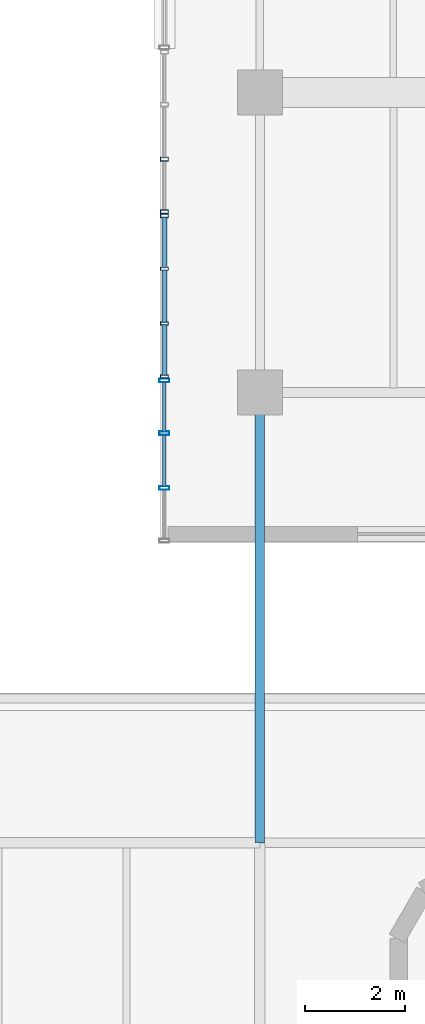
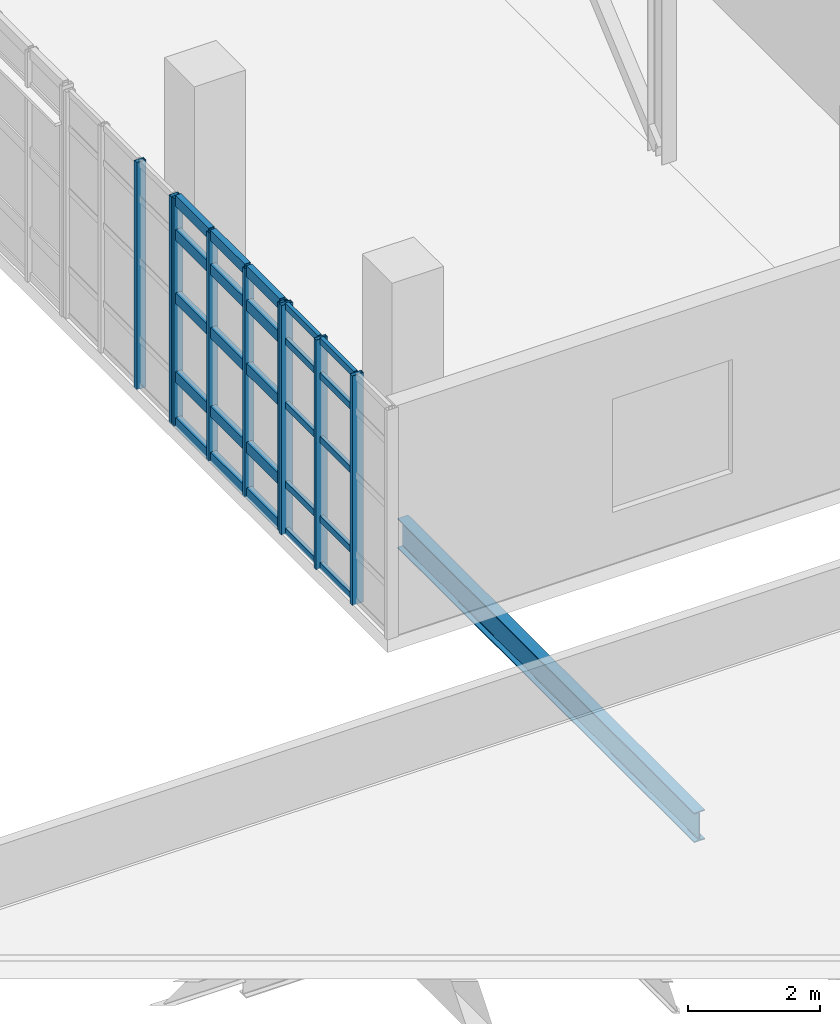
# One storey, part 25 of 85: 34 members, 1 beam, 3 elements without a shape of their own.
"""IFC4 building model written with IfcOpenShell, lengths in metres."""

import ifcopenshell
import ifcopenshell.guid

model = None  # the IFC model being written
_history = None  # IfcOwnerHistory: only IFC2X3 demands one
_inside = {}  # id of a spatial element -> (the spatial element, [elements in it])
_under = {}  # id of a project, library or spatial element -> (it, [spatial elements below it])
_declared = {}  # id of a project -> (the project, [libraries it declares])
_typed = {}  # id of a type object -> (the type object, [elements of that type])
_made_of = {}  # id of a material, layer set ... -> (it, [elements and type objects made of it])


def new_model(schema):
    """Start an empty IFC model of exactly this schema.

    Asked for "IFC4X3", IfcOpenShell would pick the latest addendum, in which some entities
    have other attributes; the version numbers below select the first issue.
    IFC2X3 requires an IfcOwnerHistory on every rooted entity: one is made here for all.
    """
    global model, _history
    if schema == "IFC4X3":
        model = ifcopenshell.file(schema_version=(4, 3, 0, 0))
    else:
        model = ifcopenshell.file(schema=schema)
    _inside.clear()
    _under.clear()
    _declared.clear()
    _typed.clear()
    _made_of.clear()
    _history = None
    if model.schema == "IFC2X3":
        org = make("IfcOrganization", Name="unknown")
        user = make(
            "IfcPersonAndOrganization",
            ThePerson=make("IfcPerson", FamilyName="unknown"),
            TheOrganization=org,
        )
        app = make(
            "IfcApplication",
            ApplicationDeveloper=org,
            Version="unknown",
            ApplicationFullName="unknown",
            ApplicationIdentifier="unknown",
        )
        _history = make(
            "IfcOwnerHistory",
            OwningUser=user,
            OwningApplication=app,
            ChangeAction="ADDED",
            CreationDate=0,
        )
    return model


def make(cls, **values):
    """One entity of the class cls with the attributes given. An attribute that is None is left unset."""
    return model.create_entity(
        cls, **{name: value for name, value in values.items() if value is not None}
    )


def rooted(cls, **values):
    """An entity with a GlobalId (a new one), such as an element, a storey or a relation."""
    return make(cls, GlobalId=ifcopenshell.guid.new(), OwnerHistory=_history, **values)


def si_unit(unit_type, name, prefix=None):
    """IfcSIUnit, for example si_unit("LENGTHUNIT", "METRE", prefix="MILLI")."""
    return make("IfcSIUnit", UnitType=unit_type, Prefix=prefix, Name=name)


def derived_unit(unit_type, elements):
    """IfcDerivedUnit: a product of units, each with its exponent."""
    return make(
        "IfcDerivedUnit",
        Elements=[
            make("IfcDerivedUnitElement", Unit=unit, Exponent=power)
            for unit, power in elements
        ],
        UnitType=unit_type,
    )


def assignment(units):
    """IfcUnitAssignment: the units of a project."""
    return None if units is None else make("IfcUnitAssignment", Units=units)


def point(xyz):
    """IfcCartesianPoint."""
    return None if xyz is None else make("IfcCartesianPoint", Coordinates=xyz)


def direction(xyz):
    """IfcDirection."""
    return None if xyz is None else make("IfcDirection", DirectionRatios=xyz)


def frame(location, z_axis=None, x_axis=None):
    """IfcAxis2Placement3D, a coordinate frame: its origin and axes. An axis left out is left unset."""
    return make(
        "IfcAxis2Placement3D",
        Location=point(location),
        Axis=direction(z_axis),
        RefDirection=direction(x_axis),
    )


def frame_2d(location, x_axis=None):
    """IfcAxis2Placement2D, a coordinate frame in the plane: its origin and x axis."""
    return make(
        "IfcAxis2Placement2D", Location=point(location), RefDirection=direction(x_axis)
    )


def origin():
    """The frame at (0, 0, 0) with its axes left unset."""
    return frame((0.0, 0.0, 0.0))


def origin_2d():
    """The frame at (0, 0) in the plane with its x axis left unset."""
    return frame_2d((0.0, 0.0))


def place(relative_to, where):
    """IfcLocalPlacement: puts the frame where relative to a parent placement (None: the world)."""
    return make(
        "IfcLocalPlacement", PlacementRelTo=relative_to, RelativePlacement=where
    )


def context(
    kind, dimensions, precision=None, world=None, true_north=None, identifier=None
):
    """IfcGeometricRepresentationContext, for example the 3D "Model" context."""
    return make(
        "IfcGeometricRepresentationContext",
        ContextIdentifier=identifier,
        ContextType=kind,
        CoordinateSpaceDimension=dimensions,
        Precision=precision,
        WorldCoordinateSystem=world,
        TrueNorth=true_north,
    )


def subcontext(parent, identifier, kind, view, scale=None):
    """IfcGeometricRepresentationSubContext, for example "Body" below "Model"."""
    return make(
        "IfcGeometricRepresentationSubContext",
        ContextIdentifier=identifier,
        ContextType=kind,
        ParentContext=parent,
        TargetScale=scale,
        TargetView=view,
    )


def project(units=None, contexts=None):
    """IfcProject with its units and contexts."""
    return rooted(
        "IfcProject",
        Name="project",
        RepresentationContexts=contexts,
        UnitsInContext=assignment(units),
    )


def spatial(cls, under=None, at=None, **own):
    """A site, building, storey or space (cls), placed at a placement, below another one or the project."""
    s = rooted(cls, ObjectPlacement=at, **own)
    if under is not None:
        _under.setdefault(under.id(), (under, []))[1].append(s)
    return s


def profile(cls, at=None, kind="AREA", **sizes):
    """A parametric profile (cls). Its sizes go by their IFC names, for example OverallWidth=200.0."""
    return make(cls, ProfileType=kind, Position=at, **sizes)


def hollow_rectangle(**sizes):
    """IfcRectangleHollowProfileDef."""
    return profile("IfcRectangleHollowProfileDef", **sizes)


def i_section(**sizes):
    """IfcIShapeProfileDef."""
    return profile("IfcIShapeProfileDef", **sizes)


def extrude(swept, where, along, depth):
    """IfcExtrudedAreaSolid: the profile swept, set in the frame where, extruded along a direction by depth."""
    return make(
        "IfcExtrudedAreaSolid",
        SweptArea=swept,
        Position=where,
        ExtrudedDirection=direction(along),
        Depth=depth,
    )


def shape(context_of_items, identifier, shape_type, items):
    """IfcShapeRepresentation: the items that make up one representation, for example the "Body"."""
    return make(
        "IfcShapeRepresentation",
        ContextOfItems=context_of_items,
        RepresentationIdentifier=identifier,
        RepresentationType=shape_type,
        Items=items,
    )


def material(Name=None, Category=None):
    """IfcMaterial."""
    return make("IfcMaterial", Name=Name, Category=Category)


def layer(
    of_material, thickness, ventilated=None, Name=None, Category=None, Priority=None
):
    """IfcMaterialLayer: one layer of a wall or slab, of a material (None: an air gap)."""
    return make(
        "IfcMaterialLayer",
        Material=of_material,
        LayerThickness=thickness,
        IsVentilated=ventilated,
        Name=Name,
        Category=Category,
        Priority=Priority,
    )


def layer_set(layers, Name=None):
    """IfcMaterialLayerSet."""
    return make("IfcMaterialLayerSet", MaterialLayers=layers, LayerSetName=Name)


def material_profile(
    of_material, cross_section, Name=None, Category=None, Priority=None
):
    """IfcMaterialProfile: a cross section and its material."""
    return make(
        "IfcMaterialProfile",
        Name=Name,
        Material=of_material,
        Profile=cross_section,
        Priority=Priority,
        Category=Category,
    )


def profile_set(profiles, Name=None, composite=None):
    """IfcMaterialProfileSet."""
    return make(
        "IfcMaterialProfileSet",
        Name=Name,
        MaterialProfiles=profiles,
        CompositeProfile=composite,
    )


def made_of(thing, what):
    """Note that an element or type object is made of a material, layer set ...; save() writes the relation."""
    if what is not None:
        _made_of.setdefault(what.id(), (what, []))[1].append(thing)
    return thing


def type_object(cls, material=None, **own):
    """A type object (cls), such as IfcWallType, which elements share."""
    return made_of(rooted(cls, **own), material)


def element(
    cls,
    number,
    at=None,
    inside=None,
    cuts=None,
    type_object=None,
    material=None,
    context=None,
    identifier="Body",
    shape_type=None,
    held_by="IfcProductDefinitionShape",
    body=None,
    shapes=None,
    **own,
):
    """One element of the class cls, such as IfcWall. Its Tag is "e" and its number.

    at: its placement. inside: the storey or other place that contains it. cuts: it is an
    opening in that element (IfcRelVoidsElement). A single representation is given by context,
    identifier, shape_type and body (its items); several are given by shapes. held_by: the class
    of the entity that holds the representations. save() writes the other relations.
    """
    e = rooted(cls, Tag="e%d" % number, ObjectPlacement=at, **own)
    if body is not None:
        shapes = [shape(context, identifier, shape_type, body)]
    if shapes is not None:
        e.Representation = make(held_by, Representations=shapes)
    if inside is not None:
        _inside.setdefault(inside.id(), (inside, []))[1].append(e)
    if cuts is not None:
        rooted(
            "IfcRelVoidsElement", RelatingBuildingElement=cuts, RelatedOpeningElement=e
        )
    if type_object is not None:
        _typed.setdefault(type_object.id(), (type_object, []))[1].append(e)
    return made_of(e, material)


def aggregate(whole, parts):
    """IfcRelAggregates: a whole, such as a stair, and the parts it consists of."""
    return rooted("IfcRelAggregates", RelatingObject=whole, RelatedObjects=parts)


def save(model, path):
    """Write the relations noted so far, then the file.

    IfcRelAggregates (storeys below a building ...), IfcRelContainedInSpatialStructure (elements
    in a storey), IfcRelDefinesByType, IfcRelAssociatesMaterial and IfcRelDeclares: one each for
    every whole, place, type object, material and project.
    """
    for whole, parts in _under.values():
        aggregate(whole, parts)
    for where, things in _inside.values():
        rooted(
            "IfcRelContainedInSpatialStructure",
            RelatedElements=things,
            RelatingStructure=where,
        )
    for kind, things in _typed.values():
        rooted("IfcRelDefinesByType", RelatedObjects=things, RelatingType=kind)
    for what, things in _made_of.values():
        rooted("IfcRelAssociatesMaterial", RelatedObjects=things, RelatingMaterial=what)
    for by, libraries in _declared.values():
        rooted("IfcRelDeclares", RelatingContext=by, RelatedDefinitions=libraries)
    model.write(path)


model = new_model("IFC4")

# Units and contexts
model_context = context("Model", 3, precision=1e-05, world=origin(), true_north=direction((0.0, 1.0)))
body_context = subcontext(model_context, "Body", "Model", "MODEL_VIEW")
ifc_project = project(units=[si_unit("LENGTHUNIT", "METRE"), si_unit("AREAUNIT", "SQUARE_METRE"), si_unit("VOLUMEUNIT", "CUBIC_METRE"), si_unit("PLANEANGLEUNIT", "RADIAN"), si_unit("MASSUNIT", "GRAM", prefix="KILO"), derived_unit("THERMALTRANSMITTANCEUNIT", [(si_unit("POWERUNIT", "WATT"), 1), (si_unit("LENGTHUNIT", "METRE"), -2), (si_unit("THERMODYNAMICTEMPERATUREUNIT", "KELVIN"), -1)])], contexts=[model_context])

# Site, building, storey
site_placement = place(None, origin())
site = spatial("IfcSite", under=ifc_project, at=site_placement, CompositionType="ELEMENT")
building_placement = place(site_placement, origin())
building = spatial("IfcBuilding", under=site, at=building_placement, Name="Nallur Shell Playhouse", CompositionType="ELEMENT")
storey_placement = place(building_placement, frame((0.0, 0.0, 19.800048828125)))
storey = spatial("IfcBuildingStorey", under=building, at=storey_placement, Name="L05", CompositionType="ELEMENT", Elevation=19.800048828125)

# Beam
ifc_material_1 = material(Name="Steel E350", Category="steel")
ifc_material_profile_1 = material_profile(ifc_material_1, i_section(OverallWidth=0.18994140625, OverallDepth=0.550048828125, WebThickness=0.01123046875, FlangeThickness=0.019287109375, FilletRadius=0.01806640625, at=origin_2d()), Name="ISMB 550")
ifc_profile_set_1 = profile_set([ifc_material_profile_1], Name="Steel E350")
beam_type = type_object("IfcBeamType", Name="BM-ST-ISMB550", PredefinedType="BEAM", material=ifc_profile_set_1)
beam_placement = place(storey_placement, frame((56.0, 41.0, -0.525146484375), z_axis=(0.0, 1.0, 0.0), x_axis=(-1.0, 0.0, 0.0)))
element("IfcBeam", 1, at=beam_placement, inside=storey, type_object=beam_type, Name="L05 girder Y-7-1017", PredefinedType="BEAM", context=body_context, shape_type="SweptSolid", body=[
    extrude(i_section(OverallWidth=0.18994140625, OverallDepth=0.550048828125, WebThickness=0.01123046875, FlangeThickness=0.019287109375, FilletRadius=0.01806640625, at=origin_2d()), origin(), (0.0, 0.0, 1.0), 9.0),
])

# Curtain wall, members
ifc_material_2 = material(Name="Anodised Aluminium Double-Glazed Facade System", Category="aluminium")
ifc_layer_1 = layer(ifc_material_2, 0.1640625)
ifc_layer_set_1 = layer_set([ifc_layer_1], Name="Anodised Aluminium Double-Glazed Facade System")
curtain_wall_type_1 = type_object("IfcCurtainWallType", Name="CW-UNIT-07", PredefinedType="NOTDEFINED", material=ifc_layer_set_1)
curtain_wall_1_placement = place(storey_placement, origin())
curtain_wall_1 = element("IfcCurtainWall", 2, at=curtain_wall_1_placement, inside=storey, type_object=curtain_wall_type_1, Name="Unitised curtain wall CW-167 (L05)", PredefinedType="NOTDEFINED")
ifc_material_3 = material(Name="Aluminium Alloy 6063-T6 Mullion", Category="aluminium")
ifc_material_profile_2 = material_profile(ifc_material_3, hollow_rectangle(XDim=0.080078125, YDim=0.159912109375, WallThickness=0.006103515625, at=origin_2d()), Name="RHS 160x80x6")
ifc_profile_set_2 = profile_set([ifc_material_profile_2], Name="Aluminium Alloy 6063-T6 Mullion")
member_type_1 = type_object("IfcMemberType", Name="MB-CW-MUL150", PredefinedType="MULLION", material=ifc_profile_set_2)
member_1_placement = place(storey_placement, frame((54.090087890625, 53.616455078125, -0.01513671875), z_axis=(0.0, 0.0, 1.0), x_axis=(0.0, 1.0, 0.0)))
member_1 = element("IfcMember", 3, at=member_1_placement, type_object=member_type_1, Name="CW-07 mullion 1", PredefinedType="MULLION", context=body_context, shape_type="SweptSolid", body=[
    extrude(hollow_rectangle(XDim=0.080078125, YDim=0.159912109375, WallThickness=0.006103515625, at=origin_2d()), origin(), (0.0, 0.0, 1.0), 4.208984375),
])
member_2_placement = place(storey_placement, frame((54.090087890625, 54.668212890625, -0.01513671875), z_axis=(0.0, 0.0, 1.0), x_axis=(0.0, 1.0, 0.0)))
member_2 = element("IfcMember", 4, at=member_2_placement, type_object=member_type_1, Name="CW-07 mullion 2", PredefinedType="MULLION", context=body_context, shape_type="SweptSolid", body=[
    extrude(hollow_rectangle(XDim=0.080078125, YDim=0.159912109375, WallThickness=0.006103515625, at=origin_2d()), origin(), (0.0, 0.0, 1.0), 4.208984375),
])
aggregate(curtain_wall_1, [member_1, member_2])

ifc_layer_2 = layer(ifc_material_2, 0.159912109375)
ifc_layer_set_2 = layer_set([ifc_layer_2], Name="Anodised Aluminium Double-Glazed Facade System")
curtain_wall_type_2 = type_object("IfcCurtainWallType", Name="CW-UNIT-06", PredefinedType="NOTDEFINED", material=ifc_layer_set_2)
curtain_wall_2_placement = place(storey_placement, origin())
curtain_wall_2 = element("IfcCurtainWall", 5, at=curtain_wall_2_placement, inside=storey, type_object=curtain_wall_type_2, Name="Unitised curtain wall CW-166 (L05)", PredefinedType="NOTDEFINED")
ifc_material_profile_3 = material_profile(ifc_material_3, hollow_rectangle(XDim=0.06494140625, YDim=0.159912109375, WallThickness=0.00390625, at=origin_2d()), Name="ALU 65x160x4")
ifc_profile_set_3 = profile_set([ifc_material_profile_3], Name="Aluminium Alloy 6063-T6 Mullion")
member_type_2 = type_object("IfcMemberType", Name="MB-CW-MUL160", PredefinedType="MULLION", material=ifc_profile_set_3)
member_3_placement = place(storey_placement, frame((54.090087890625, 50.3232421875, -0.01513671875), z_axis=(0.0, 0.0, 1.0), x_axis=(0.0, 1.0, 0.0)))
member_3 = element("IfcMember", 6, at=member_3_placement, type_object=member_type_2, Name="CW-06 mullion 1", PredefinedType="MULLION", context=body_context, shape_type="SweptSolid", body=[
    extrude(hollow_rectangle(XDim=0.06494140625, YDim=0.159912109375, WallThickness=0.00390625, at=origin_2d()), origin(), (0.0, 0.0, 1.0), 4.22900390625),
])
member_4_placement = place(storey_placement, frame((54.090087890625, 51.382568359375, -0.01513671875), z_axis=(0.0, 0.0, 1.0), x_axis=(0.0, 1.0, 0.0)))
member_4 = element("IfcMember", 7, at=member_4_placement, type_object=member_type_2, Name="CW-06 mullion 2", PredefinedType="MULLION", context=body_context, shape_type="SweptSolid", body=[
    extrude(hollow_rectangle(XDim=0.06494140625, YDim=0.159912109375, WallThickness=0.00390625, at=origin_2d()), origin(), (0.0, 0.0, 1.0), 4.22900390625),
])
member_5_placement = place(storey_placement, frame((54.090087890625, 52.474609375, -0.01513671875), z_axis=(0.0, 0.0, 1.0), x_axis=(0.0, 1.0, 0.0)))
member_5 = element("IfcMember", 8, at=member_5_placement, type_object=member_type_2, Name="CW-06 mullion 3", PredefinedType="MULLION", context=body_context, shape_type="SweptSolid", body=[
    extrude(hollow_rectangle(XDim=0.06494140625, YDim=0.159912109375, WallThickness=0.00390625, at=origin_2d()), origin(), (0.0, 0.0, 1.0), 4.22900390625),
])
member_6_placement = place(storey_placement, frame((54.090087890625, 53.533935546875, -0.01513671875), z_axis=(0.0, 0.0, 1.0), x_axis=(0.0, 1.0, 0.0)))
member_6 = element("IfcMember", 9, at=member_6_placement, type_object=member_type_2, Name="CW-06 mullion 4", PredefinedType="MULLION", context=body_context, shape_type="SweptSolid", body=[
    extrude(hollow_rectangle(XDim=0.06494140625, YDim=0.159912109375, WallThickness=0.00390625, at=origin_2d()), origin(), (0.0, 0.0, 1.0), 4.22900390625),
])

ifc_layer_3 = layer(ifc_material_2, 0.179931640625)
ifc_layer_set_3 = layer_set([ifc_layer_3], Name="Anodised Aluminium Double-Glazed Facade System")
curtain_wall_type_3 = type_object("IfcCurtainWallType", Name="CW-UNIT-05", PredefinedType="NOTDEFINED", material=ifc_layer_set_3)
curtain_wall_3_placement = place(storey_placement, origin())
curtain_wall_3 = element("IfcCurtainWall", 10, at=curtain_wall_3_placement, inside=storey, type_object=curtain_wall_type_3, Name="Unitised curtain wall CW-165 (L05)", PredefinedType="NOTDEFINED")
ifc_material_profile_4 = material_profile(ifc_material_3, hollow_rectangle(XDim=0.074951171875, YDim=0.199951171875, WallThickness=0.0048828125, at=origin_2d()), Name="ALU 75x200x5")
ifc_profile_set_4 = profile_set([ifc_material_profile_4], Name="Aluminium Alloy 6063-T6 Mullion")
member_type_3 = type_object("IfcMemberType", Name="MB-CW-MUL180", PredefinedType="MULLION", material=ifc_profile_set_4)
member_7_placement = place(storey_placement, frame((54.090087890625, 48.093505859375, -0.01513671875), z_axis=(0.0, 0.0, 1.0), x_axis=(0.0, 1.0, 0.0)))
member_7 = element("IfcMember", 11, at=member_7_placement, type_object=member_type_3, Name="CW-05 mullion 2", PredefinedType="MULLION", context=body_context, shape_type="SweptSolid", body=[
    extrude(hollow_rectangle(XDim=0.074951171875, YDim=0.199951171875, WallThickness=0.0048828125, at=origin_2d()), origin(), (0.0, 0.0, 1.0), 4.2490234375),
])
member_8_placement = place(storey_placement, frame((54.090087890625, 49.18701171875, -0.01513671875), z_axis=(0.0, 0.0, 1.0), x_axis=(0.0, 1.0, 0.0)))
member_8 = element("IfcMember", 12, at=member_8_placement, type_object=member_type_3, Name="CW-05 mullion 3", PredefinedType="MULLION", context=body_context, shape_type="SweptSolid", body=[
    extrude(hollow_rectangle(XDim=0.074951171875, YDim=0.199951171875, WallThickness=0.0048828125, at=origin_2d()), origin(), (0.0, 0.0, 1.0), 4.2490234375),
])
member_9_placement = place(storey_placement, frame((54.090087890625, 50.2431640625, -0.01513671875), z_axis=(0.0, 0.0, 1.0), x_axis=(0.0, 1.0, 0.0)))
member_9 = element("IfcMember", 13, at=member_9_placement, type_object=member_type_3, Name="CW-05 mullion 4", PredefinedType="MULLION", context=body_context, shape_type="SweptSolid", body=[
    extrude(hollow_rectangle(XDim=0.074951171875, YDim=0.199951171875, WallThickness=0.0048828125, at=origin_2d()), origin(), (0.0, 0.0, 1.0), 4.2490234375),
])
ifc_material_4 = material(Name="Aluminium Alloy 6063-T6 Transom", Category="aluminium")
ifc_material_profile_5 = material_profile(ifc_material_4, hollow_rectangle(XDim=0.06494140625, YDim=0.1201171875, WallThickness=0.00390625, at=origin_2d()), Name="ALU 65x120x4")
ifc_profile_set_5 = profile_set([ifc_material_profile_5], Name="Aluminium Alloy 6063-T6 Transom")
member_type_4 = type_object("IfcMemberType", Name="MB-CW-TRN120", PredefinedType="USERDEFINED", material=ifc_profile_set_5)
member_10_placement = place(storey_placement, frame((54.090087890625, 48.123046875, 0.032470703125), z_axis=(0.0, 1.0, 0.0), x_axis=(-1.0, 0.0, 0.0)))
member_10 = element("IfcMember", 14, at=member_10_placement, type_object=member_type_4, Name="CW-05 transom 2.1", ObjectType="TRANSOM", PredefinedType="USERDEFINED", context=body_context, shape_type="SweptSolid", body=[
    extrude(hollow_rectangle(XDim=0.06494140625, YDim=0.1201171875, WallThickness=0.00390625, at=origin_2d()), origin(), (0.0, 0.0, 1.0), 1.03466796875),
])
member_11_placement = place(storey_placement, frame((54.090087890625, 48.123046875, 0.89990234375), z_axis=(0.0, 1.0, 0.0), x_axis=(-1.0, 0.0, 0.0)))
member_11 = element("IfcMember", 15, at=member_11_placement, type_object=member_type_4, Name="CW-05 transom 2.2", ObjectType="TRANSOM", PredefinedType="USERDEFINED", context=body_context, shape_type="SweptSolid", body=[
    extrude(hollow_rectangle(XDim=0.06494140625, YDim=0.1201171875, WallThickness=0.00390625, at=origin_2d()), origin(), (0.0, 0.0, 1.0), 1.03466796875),
])
member_12_placement = place(storey_placement, frame((54.090087890625, 48.123046875, 2.368896484375), z_axis=(0.0, 1.0, 0.0), x_axis=(-1.0, 0.0, 0.0)))
member_12 = element("IfcMember", 16, at=member_12_placement, type_object=member_type_4, Name="CW-05 transom 2.3", ObjectType="TRANSOM", PredefinedType="USERDEFINED", context=body_context, shape_type="SweptSolid", body=[
    extrude(hollow_rectangle(XDim=0.06494140625, YDim=0.1201171875, WallThickness=0.00390625, at=origin_2d()), origin(), (0.0, 0.0, 1.0), 1.03466796875),
])
member_13_placement = place(storey_placement, frame((54.090087890625, 48.123046875, 3.550048828125), z_axis=(0.0, 1.0, 0.0), x_axis=(-1.0, 0.0, 0.0)))
member_13 = element("IfcMember", 17, at=member_13_placement, type_object=member_type_4, Name="CW-05 transom 2.4", ObjectType="TRANSOM", PredefinedType="USERDEFINED", context=body_context, shape_type="SweptSolid", body=[
    extrude(hollow_rectangle(XDim=0.06494140625, YDim=0.1201171875, WallThickness=0.00390625, at=origin_2d()), origin(), (0.0, 0.0, 1.0), 1.03466796875),
])
member_14_placement = place(storey_placement, frame((54.090087890625, 48.123046875, 4.197509765625), z_axis=(0.0, 1.0, 0.0), x_axis=(-1.0, 0.0, 0.0)))
member_14 = element("IfcMember", 18, at=member_14_placement, type_object=member_type_4, Name="CW-05 transom 2.5", ObjectType="TRANSOM", PredefinedType="USERDEFINED", context=body_context, shape_type="SweptSolid", body=[
    extrude(hollow_rectangle(XDim=0.06494140625, YDim=0.1201171875, WallThickness=0.00390625, at=origin_2d()), origin(), (0.0, 0.0, 1.0), 1.03466796875),
])
member_15_placement = place(storey_placement, frame((54.090087890625, 49.216552734375, 0.032470703125), z_axis=(0.0, 1.0, 0.0), x_axis=(-1.0, 0.0, 0.0)))
member_15 = element("IfcMember", 19, at=member_15_placement, type_object=member_type_4, Name="CW-05 transom 3.1", ObjectType="TRANSOM", PredefinedType="USERDEFINED", context=body_context, shape_type="SweptSolid", body=[
    extrude(hollow_rectangle(XDim=0.06494140625, YDim=0.1201171875, WallThickness=0.00390625, at=origin_2d()), origin(), (0.0, 0.0, 1.0), 0.9970703125),
])
member_16_placement = place(storey_placement, frame((54.090087890625, 49.216552734375, 0.89990234375), z_axis=(0.0, 1.0, 0.0), x_axis=(-1.0, 0.0, 0.0)))
member_16 = element("IfcMember", 20, at=member_16_placement, type_object=member_type_4, Name="CW-05 transom 3.2", ObjectType="TRANSOM", PredefinedType="USERDEFINED", context=body_context, shape_type="SweptSolid", body=[
    extrude(hollow_rectangle(XDim=0.06494140625, YDim=0.1201171875, WallThickness=0.00390625, at=origin_2d()), origin(), (0.0, 0.0, 1.0), 0.9970703125),
])
member_17_placement = place(storey_placement, frame((54.090087890625, 49.216552734375, 2.368896484375), z_axis=(0.0, 1.0, 0.0), x_axis=(-1.0, 0.0, 0.0)))
member_17 = element("IfcMember", 21, at=member_17_placement, type_object=member_type_4, Name="CW-05 transom 3.3", ObjectType="TRANSOM", PredefinedType="USERDEFINED", context=body_context, shape_type="SweptSolid", body=[
    extrude(hollow_rectangle(XDim=0.06494140625, YDim=0.1201171875, WallThickness=0.00390625, at=origin_2d()), origin(), (0.0, 0.0, 1.0), 0.9970703125),
])
member_18_placement = place(storey_placement, frame((54.090087890625, 49.216552734375, 3.550048828125), z_axis=(0.0, 1.0, 0.0), x_axis=(-1.0, 0.0, 0.0)))
member_18 = element("IfcMember", 22, at=member_18_placement, type_object=member_type_4, Name="CW-05 transom 3.4", ObjectType="TRANSOM", PredefinedType="USERDEFINED", context=body_context, shape_type="SweptSolid", body=[
    extrude(hollow_rectangle(XDim=0.06494140625, YDim=0.1201171875, WallThickness=0.00390625, at=origin_2d()), origin(), (0.0, 0.0, 1.0), 0.9970703125),
])
member_19_placement = place(storey_placement, frame((54.090087890625, 49.216552734375, 4.197509765625), z_axis=(0.0, 1.0, 0.0), x_axis=(-1.0, 0.0, 0.0)))
member_19 = element("IfcMember", 23, at=member_19_placement, type_object=member_type_4, Name="CW-05 transom 3.5", ObjectType="TRANSOM", PredefinedType="USERDEFINED", context=body_context, shape_type="SweptSolid", body=[
    extrude(hollow_rectangle(XDim=0.06494140625, YDim=0.1201171875, WallThickness=0.00390625, at=origin_2d()), origin(), (0.0, 0.0, 1.0), 0.9970703125),
])
aggregate(curtain_wall_3, [member_7, member_8, member_9, member_10, member_11, member_12, member_13, member_14, member_15, member_16, member_17, member_18, member_19])

# Member
ifc_material_profile_6 = material_profile(ifc_material_4, hollow_rectangle(XDim=0.10009765625, YDim=0.199951171875, WallThickness=0.008056640625, at=origin_2d()), Name="RHS 200x100x8")
ifc_profile_set_6 = profile_set([ifc_material_profile_6], Name="Aluminium Alloy 6063-T6 Transom")
member_type_5 = type_object("IfcMemberType", Name="MB-CW-TRN140", PredefinedType="USERDEFINED", material=ifc_profile_set_6)
member_20_placement = place(storey_placement, frame((54.090087890625, 50.34765625, 0.050048828125), z_axis=(0.0, 1.0, 0.0), x_axis=(-1.0, 0.0, 0.0)))
member_20 = element("IfcMember", 24, at=member_20_placement, type_object=member_type_5, Name="CW-06 transom 1.1", ObjectType="TRANSOM", PredefinedType="USERDEFINED", context=body_context, shape_type="SweptSolid", body=[
    extrude(hollow_rectangle(XDim=0.10009765625, YDim=0.199951171875, WallThickness=0.008056640625, at=origin_2d()), origin(), (0.0, 0.0, 1.0), 1.010498046875),
])

member_21_placement = place(storey_placement, frame((54.090087890625, 50.34765625, 0.89990234375), z_axis=(0.0, 1.0, 0.0), x_axis=(-1.0, 0.0, 0.0)))
member_21 = element("IfcMember", 25, at=member_21_placement, type_object=member_type_5, Name="CW-06 transom 1.2", ObjectType="TRANSOM", PredefinedType="USERDEFINED", context=body_context, shape_type="SweptSolid", body=[
    extrude(hollow_rectangle(XDim=0.10009765625, YDim=0.199951171875, WallThickness=0.008056640625, at=origin_2d()), origin(), (0.0, 0.0, 1.0), 1.010498046875),
])

member_22_placement = place(storey_placement, frame((54.090087890625, 50.34765625, 2.35791015625), z_axis=(0.0, 1.0, 0.0), x_axis=(-1.0, 0.0, 0.0)))
member_22 = element("IfcMember", 26, at=member_22_placement, type_object=member_type_5, Name="CW-06 transom 1.3", ObjectType="TRANSOM", PredefinedType="USERDEFINED", context=body_context, shape_type="SweptSolid", body=[
    extrude(hollow_rectangle(XDim=0.10009765625, YDim=0.199951171875, WallThickness=0.008056640625, at=origin_2d()), origin(), (0.0, 0.0, 1.0), 1.010498046875),
])

member_23_placement = place(storey_placement, frame((54.090087890625, 50.34765625, 3.530029296875), z_axis=(0.0, 1.0, 0.0), x_axis=(-1.0, 0.0, 0.0)))
member_23 = element("IfcMember", 27, at=member_23_placement, type_object=member_type_5, Name="CW-06 transom 1.4", ObjectType="TRANSOM", PredefinedType="USERDEFINED", context=body_context, shape_type="SweptSolid", body=[
    extrude(hollow_rectangle(XDim=0.10009765625, YDim=0.199951171875, WallThickness=0.008056640625, at=origin_2d()), origin(), (0.0, 0.0, 1.0), 1.010498046875),
])

member_24_placement = place(storey_placement, frame((54.090087890625, 50.34765625, 4.159912109375), z_axis=(0.0, 1.0, 0.0), x_axis=(-1.0, 0.0, 0.0)))
member_24 = element("IfcMember", 28, at=member_24_placement, type_object=member_type_5, Name="CW-06 transom 1.5", ObjectType="TRANSOM", PredefinedType="USERDEFINED", context=body_context, shape_type="SweptSolid", body=[
    extrude(hollow_rectangle(XDim=0.10009765625, YDim=0.199951171875, WallThickness=0.008056640625, at=origin_2d()), origin(), (0.0, 0.0, 1.0), 1.010498046875),
])

member_25_placement = place(storey_placement, frame((54.090087890625, 51.406982421875, 0.050048828125), z_axis=(0.0, 1.0, 0.0), x_axis=(-1.0, 0.0, 0.0)))
member_25 = element("IfcMember", 29, at=member_25_placement, type_object=member_type_5, Name="CW-06 transom 2.1", ObjectType="TRANSOM", PredefinedType="USERDEFINED", context=body_context, shape_type="SweptSolid", body=[
    extrude(hollow_rectangle(XDim=0.10009765625, YDim=0.199951171875, WallThickness=0.008056640625, at=origin_2d()), origin(), (0.0, 0.0, 1.0), 1.04296875),
])

member_26_placement = place(storey_placement, frame((54.090087890625, 51.406982421875, 0.89990234375), z_axis=(0.0, 1.0, 0.0), x_axis=(-1.0, 0.0, 0.0)))
member_26 = element("IfcMember", 30, at=member_26_placement, type_object=member_type_5, Name="CW-06 transom 2.2", ObjectType="TRANSOM", PredefinedType="USERDEFINED", context=body_context, shape_type="SweptSolid", body=[
    extrude(hollow_rectangle(XDim=0.10009765625, YDim=0.199951171875, WallThickness=0.008056640625, at=origin_2d()), origin(), (0.0, 0.0, 1.0), 1.04296875),
])

member_27_placement = place(storey_placement, frame((54.090087890625, 51.406982421875, 2.35791015625), z_axis=(0.0, 1.0, 0.0), x_axis=(-1.0, 0.0, 0.0)))
member_27 = element("IfcMember", 31, at=member_27_placement, type_object=member_type_5, Name="CW-06 transom 2.3", ObjectType="TRANSOM", PredefinedType="USERDEFINED", context=body_context, shape_type="SweptSolid", body=[
    extrude(hollow_rectangle(XDim=0.10009765625, YDim=0.199951171875, WallThickness=0.008056640625, at=origin_2d()), origin(), (0.0, 0.0, 1.0), 1.04296875),
])

member_28_placement = place(storey_placement, frame((54.090087890625, 51.406982421875, 3.530029296875), z_axis=(0.0, 1.0, 0.0), x_axis=(-1.0, 0.0, 0.0)))
member_28 = element("IfcMember", 32, at=member_28_placement, type_object=member_type_5, Name="CW-06 transom 2.4", ObjectType="TRANSOM", PredefinedType="USERDEFINED", context=body_context, shape_type="SweptSolid", body=[
    extrude(hollow_rectangle(XDim=0.10009765625, YDim=0.199951171875, WallThickness=0.008056640625, at=origin_2d()), origin(), (0.0, 0.0, 1.0), 1.04296875),
])

member_29_placement = place(storey_placement, frame((54.090087890625, 51.406982421875, 4.159912109375), z_axis=(0.0, 1.0, 0.0), x_axis=(-1.0, 0.0, 0.0)))
member_29 = element("IfcMember", 33, at=member_29_placement, type_object=member_type_5, Name="CW-06 transom 2.5", ObjectType="TRANSOM", PredefinedType="USERDEFINED", context=body_context, shape_type="SweptSolid", body=[
    extrude(hollow_rectangle(XDim=0.10009765625, YDim=0.199951171875, WallThickness=0.008056640625, at=origin_2d()), origin(), (0.0, 0.0, 1.0), 1.04296875),
])

member_30_placement = place(storey_placement, frame((54.090087890625, 52.4990234375, 0.050048828125), z_axis=(0.0, 1.0, 0.0), x_axis=(-1.0, 0.0, 0.0)))
member_30 = element("IfcMember", 34, at=member_30_placement, type_object=member_type_5, Name="CW-06 transom 3.1", ObjectType="TRANSOM", PredefinedType="USERDEFINED", context=body_context, shape_type="SweptSolid", body=[
    extrude(hollow_rectangle(XDim=0.10009765625, YDim=0.199951171875, WallThickness=0.008056640625, at=origin_2d()), origin(), (0.0, 0.0, 1.0), 1.010498046875),
])

member_31_placement = place(storey_placement, frame((54.090087890625, 52.4990234375, 0.89990234375), z_axis=(0.0, 1.0, 0.0), x_axis=(-1.0, 0.0, 0.0)))
member_31 = element("IfcMember", 35, at=member_31_placement, type_object=member_type_5, Name="CW-06 transom 3.2", ObjectType="TRANSOM", PredefinedType="USERDEFINED", context=body_context, shape_type="SweptSolid", body=[
    extrude(hollow_rectangle(XDim=0.10009765625, YDim=0.199951171875, WallThickness=0.008056640625, at=origin_2d()), origin(), (0.0, 0.0, 1.0), 1.010498046875),
])

member_32_placement = place(storey_placement, frame((54.090087890625, 52.4990234375, 2.35791015625), z_axis=(0.0, 1.0, 0.0), x_axis=(-1.0, 0.0, 0.0)))
member_32 = element("IfcMember", 36, at=member_32_placement, type_object=member_type_5, Name="CW-06 transom 3.3", ObjectType="TRANSOM", PredefinedType="USERDEFINED", context=body_context, shape_type="SweptSolid", body=[
    extrude(hollow_rectangle(XDim=0.10009765625, YDim=0.199951171875, WallThickness=0.008056640625, at=origin_2d()), origin(), (0.0, 0.0, 1.0), 1.010498046875),
])

member_33_placement = place(storey_placement, frame((54.090087890625, 52.4990234375, 3.530029296875), z_axis=(0.0, 1.0, 0.0), x_axis=(-1.0, 0.0, 0.0)))
member_33 = element("IfcMember", 37, at=member_33_placement, type_object=member_type_5, Name="CW-06 transom 3.4", ObjectType="TRANSOM", PredefinedType="USERDEFINED", context=body_context, shape_type="SweptSolid", body=[
    extrude(hollow_rectangle(XDim=0.10009765625, YDim=0.199951171875, WallThickness=0.008056640625, at=origin_2d()), origin(), (0.0, 0.0, 1.0), 1.010498046875),
])

member_34_placement = place(storey_placement, frame((54.090087890625, 52.4990234375, 4.159912109375), z_axis=(0.0, 1.0, 0.0), x_axis=(-1.0, 0.0, 0.0)))
member_34 = element("IfcMember", 38, at=member_34_placement, type_object=member_type_5, Name="CW-06 transom 3.5", ObjectType="TRANSOM", PredefinedType="USERDEFINED", context=body_context, shape_type="SweptSolid", body=[
    extrude(hollow_rectangle(XDim=0.10009765625, YDim=0.199951171875, WallThickness=0.008056640625, at=origin_2d()), origin(), (0.0, 0.0, 1.0), 1.010498046875),
])

aggregate(curtain_wall_2, [member_3, member_4, member_5, member_6, member_20, member_21, member_22, member_23, member_24, member_25, member_26, member_27, member_28, member_29, member_30, member_31, member_32, member_33, member_34])

save(model, "model.ifc")
